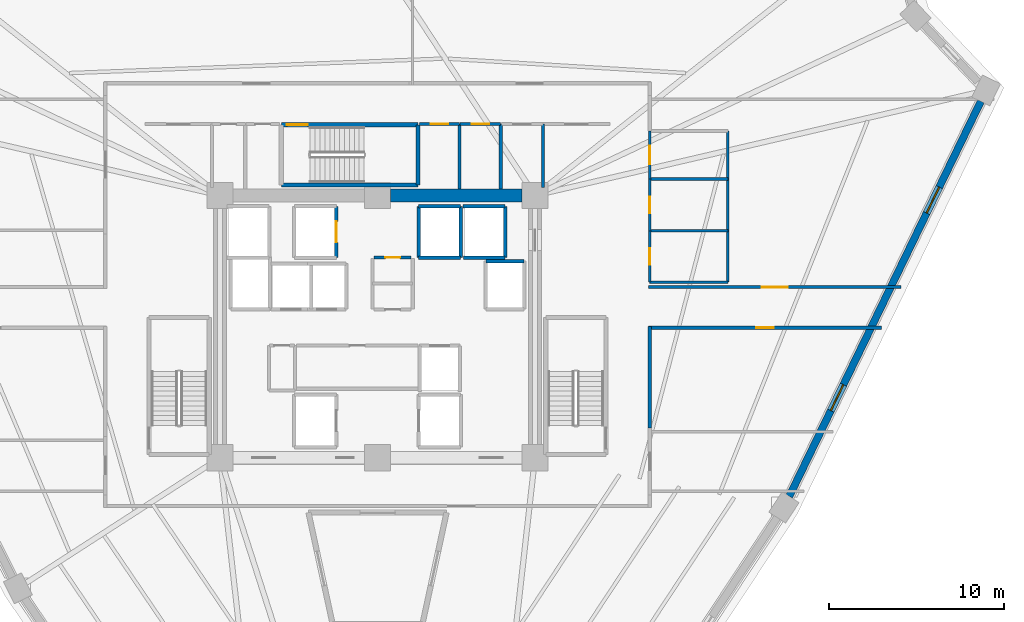
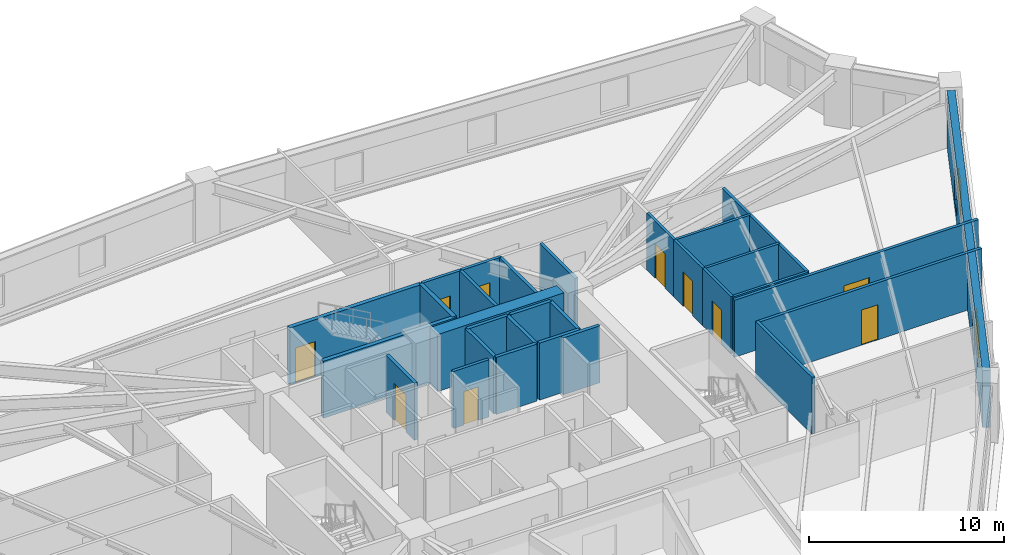
# One storey, part 6 of 10: 30 walls, 10 doors, 2 windows, 12 openings.
"""IFC4 building model written with IfcOpenShell, lengths in metres."""

import ifcopenshell
import ifcopenshell.guid

model = None  # the IFC model being written
_history = None  # IfcOwnerHistory: only IFC2X3 demands one
_inside = {}  # id of a spatial element -> (the spatial element, [elements in it])
_under = {}  # id of a project, library or spatial element -> (it, [spatial elements below it])
_declared = {}  # id of a project -> (the project, [libraries it declares])
_typed = {}  # id of a type object -> (the type object, [elements of that type])
_made_of = {}  # id of a material, layer set ... -> (it, [elements and type objects made of it])


def new_model(schema):
    """Start an empty IFC model of exactly this schema.

    Asked for "IFC4X3", IfcOpenShell would pick the latest addendum, in which some entities
    have other attributes; the version numbers below select the first issue.
    IFC2X3 requires an IfcOwnerHistory on every rooted entity: one is made here for all.
    """
    global model, _history
    if schema == "IFC4X3":
        model = ifcopenshell.file(schema_version=(4, 3, 0, 0))
    else:
        model = ifcopenshell.file(schema=schema)
    _inside.clear()
    _under.clear()
    _declared.clear()
    _typed.clear()
    _made_of.clear()
    _history = None
    if model.schema == "IFC2X3":
        org = make("IfcOrganization", Name="unknown")
        user = make(
            "IfcPersonAndOrganization",
            ThePerson=make("IfcPerson", FamilyName="unknown"),
            TheOrganization=org,
        )
        app = make(
            "IfcApplication",
            ApplicationDeveloper=org,
            Version="unknown",
            ApplicationFullName="unknown",
            ApplicationIdentifier="unknown",
        )
        _history = make(
            "IfcOwnerHistory",
            OwningUser=user,
            OwningApplication=app,
            ChangeAction="ADDED",
            CreationDate=0,
        )
    return model


def make(cls, **values):
    """One entity of the class cls with the attributes given. An attribute that is None is left unset."""
    return model.create_entity(
        cls, **{name: value for name, value in values.items() if value is not None}
    )


def rooted(cls, **values):
    """An entity with a GlobalId (a new one), such as an element, a storey or a relation."""
    return make(cls, GlobalId=ifcopenshell.guid.new(), OwnerHistory=_history, **values)


def si_unit(unit_type, name, prefix=None):
    """IfcSIUnit, for example si_unit("LENGTHUNIT", "METRE", prefix="MILLI")."""
    return make("IfcSIUnit", UnitType=unit_type, Prefix=prefix, Name=name)


def assignment(units):
    """IfcUnitAssignment: the units of a project."""
    return None if units is None else make("IfcUnitAssignment", Units=units)


def point(xyz):
    """IfcCartesianPoint."""
    return None if xyz is None else make("IfcCartesianPoint", Coordinates=xyz)


def direction(xyz):
    """IfcDirection."""
    return None if xyz is None else make("IfcDirection", DirectionRatios=xyz)


def frame(location, z_axis=None, x_axis=None):
    """IfcAxis2Placement3D, a coordinate frame: its origin and axes. An axis left out is left unset."""
    return make(
        "IfcAxis2Placement3D",
        Location=point(location),
        Axis=direction(z_axis),
        RefDirection=direction(x_axis),
    )


def frame_2d(location, x_axis=None):
    """IfcAxis2Placement2D, a coordinate frame in the plane: its origin and x axis."""
    return make(
        "IfcAxis2Placement2D", Location=point(location), RefDirection=direction(x_axis)
    )


def origin():
    """The frame at (0, 0, 0) with its axes left unset."""
    return frame((0.0, 0.0, 0.0))


def place(relative_to, where):
    """IfcLocalPlacement: puts the frame where relative to a parent placement (None: the world)."""
    return make(
        "IfcLocalPlacement", PlacementRelTo=relative_to, RelativePlacement=where
    )


def context(
    kind, dimensions, precision=None, world=None, true_north=None, identifier=None
):
    """IfcGeometricRepresentationContext, for example the 3D "Model" context."""
    return make(
        "IfcGeometricRepresentationContext",
        ContextIdentifier=identifier,
        ContextType=kind,
        CoordinateSpaceDimension=dimensions,
        Precision=precision,
        WorldCoordinateSystem=world,
        TrueNorth=true_north,
    )


def subcontext(parent, identifier, kind, view, scale=None):
    """IfcGeometricRepresentationSubContext, for example "Body" below "Model"."""
    return make(
        "IfcGeometricRepresentationSubContext",
        ContextIdentifier=identifier,
        ContextType=kind,
        ParentContext=parent,
        TargetScale=scale,
        TargetView=view,
    )


def project(units=None, contexts=None):
    """IfcProject with its units and contexts."""
    return rooted(
        "IfcProject",
        Name="project",
        RepresentationContexts=contexts,
        UnitsInContext=assignment(units),
    )


def spatial(cls, under=None, at=None, **own):
    """A site, building, storey or space (cls), placed at a placement, below another one or the project."""
    s = rooted(cls, ObjectPlacement=at, **own)
    if under is not None:
        _under.setdefault(under.id(), (under, []))[1].append(s)
    return s


def profile(cls, at=None, kind="AREA", **sizes):
    """A parametric profile (cls). Its sizes go by their IFC names, for example OverallWidth=200.0."""
    return make(cls, ProfileType=kind, Position=at, **sizes)


def rectangle(**sizes):
    """IfcRectangleProfileDef."""
    return profile("IfcRectangleProfileDef", **sizes)


def extrude(swept, where, along, depth):
    """IfcExtrudedAreaSolid: the profile swept, set in the frame where, extruded along a direction by depth."""
    return make(
        "IfcExtrudedAreaSolid",
        SweptArea=swept,
        Position=where,
        ExtrudedDirection=direction(along),
        Depth=depth,
    )


def shape(context_of_items, identifier, shape_type, items):
    """IfcShapeRepresentation: the items that make up one representation, for example the "Body"."""
    return make(
        "IfcShapeRepresentation",
        ContextOfItems=context_of_items,
        RepresentationIdentifier=identifier,
        RepresentationType=shape_type,
        Items=items,
    )


def source(mapping_origin, context_of_items, identifier, shape_type, items):
    """IfcRepresentationMap: a shape defined once, which mapped items show again and again."""
    return make(
        "IfcRepresentationMap",
        MappingOrigin=mapping_origin,
        MappedRepresentation=shape(context_of_items, identifier, shape_type, items),
    )


def transform(
    local_origin,
    x_axis=None,
    y_axis=None,
    z_axis=None,
    scale=None,
    scale2=None,
    scale3=None,
    uniform=True,
):
    """IfcCartesianTransformationOperator3D, or its non-uniform kind. x_axis, y_axis, z_axis: its Axis1, 2, 3."""
    if uniform:
        return make(
            "IfcCartesianTransformationOperator3D",
            Axis1=direction(x_axis),
            Axis2=direction(y_axis),
            LocalOrigin=point(local_origin),
            Scale=scale,
            Axis3=direction(z_axis),
        )
    return make(
        "IfcCartesianTransformationOperator3DnonUniform",
        Axis1=direction(x_axis),
        Axis2=direction(y_axis),
        LocalOrigin=point(local_origin),
        Scale=scale,
        Axis3=direction(z_axis),
        Scale2=scale2,
        Scale3=scale3,
    )


def mapped(mapping_source, mapping_target):
    """IfcMappedItem: shows the shape of a source again, moved by a transform."""
    return make(
        "IfcMappedItem", MappingSource=mapping_source, MappingTarget=mapping_target
    )


def material(Name=None, Category=None):
    """IfcMaterial."""
    return make("IfcMaterial", Name=Name, Category=Category)


def layer(
    of_material, thickness, ventilated=None, Name=None, Category=None, Priority=None
):
    """IfcMaterialLayer: one layer of a wall or slab, of a material (None: an air gap)."""
    return make(
        "IfcMaterialLayer",
        Material=of_material,
        LayerThickness=thickness,
        IsVentilated=ventilated,
        Name=Name,
        Category=Category,
        Priority=Priority,
    )


def layer_set(layers, Name=None):
    """IfcMaterialLayerSet."""
    return make("IfcMaterialLayerSet", MaterialLayers=layers, LayerSetName=Name)


def made_of(thing, what):
    """Note that an element or type object is made of a material, layer set ...; save() writes the relation."""
    if what is not None:
        _made_of.setdefault(what.id(), (what, []))[1].append(thing)
    return thing


def type_object(cls, material=None, **own):
    """A type object (cls), such as IfcWallType, which elements share."""
    return made_of(rooted(cls, **own), material)


def element(
    cls,
    number,
    at=None,
    inside=None,
    cuts=None,
    type_object=None,
    material=None,
    context=None,
    identifier="Body",
    shape_type=None,
    held_by="IfcProductDefinitionShape",
    body=None,
    shapes=None,
    **own,
):
    """One element of the class cls, such as IfcWall. Its Tag is "e" and its number.

    at: its placement. inside: the storey or other place that contains it. cuts: it is an
    opening in that element (IfcRelVoidsElement). A single representation is given by context,
    identifier, shape_type and body (its items); several are given by shapes. held_by: the class
    of the entity that holds the representations. save() writes the other relations.
    """
    e = rooted(cls, Tag="e%d" % number, ObjectPlacement=at, **own)
    if body is not None:
        shapes = [shape(context, identifier, shape_type, body)]
    if shapes is not None:
        e.Representation = make(held_by, Representations=shapes)
    if inside is not None:
        _inside.setdefault(inside.id(), (inside, []))[1].append(e)
    if cuts is not None:
        rooted(
            "IfcRelVoidsElement", RelatingBuildingElement=cuts, RelatedOpeningElement=e
        )
    if type_object is not None:
        _typed.setdefault(type_object.id(), (type_object, []))[1].append(e)
    return made_of(e, material)


def fill(opening, filler):
    """IfcRelFillsElement: the door or window that sits in an opening."""
    return rooted(
        "IfcRelFillsElement",
        RelatingOpeningElement=opening,
        RelatedBuildingElement=filler,
    )


def aggregate(whole, parts):
    """IfcRelAggregates: a whole, such as a stair, and the parts it consists of."""
    return rooted("IfcRelAggregates", RelatingObject=whole, RelatedObjects=parts)


def save(model, path):
    """Write the relations noted so far, then the file.

    IfcRelAggregates (storeys below a building ...), IfcRelContainedInSpatialStructure (elements
    in a storey), IfcRelDefinesByType, IfcRelAssociatesMaterial and IfcRelDeclares: one each for
    every whole, place, type object, material and project.
    """
    for whole, parts in _under.values():
        aggregate(whole, parts)
    for where, things in _inside.values():
        rooted(
            "IfcRelContainedInSpatialStructure",
            RelatedElements=things,
            RelatingStructure=where,
        )
    for kind, things in _typed.values():
        rooted("IfcRelDefinesByType", RelatedObjects=things, RelatingType=kind)
    for what, things in _made_of.values():
        rooted("IfcRelAssociatesMaterial", RelatedObjects=things, RelatingMaterial=what)
    for by, libraries in _declared.values():
        rooted("IfcRelDeclares", RelatingContext=by, RelatedDefinitions=libraries)
    model.write(path)


model = new_model("IFC4")

# Units and contexts
model_context = context("Model", 3, precision=1e-05, world=origin(), true_north=direction((0.0, 1.0)))
body_context = subcontext(model_context, "Body", "Model", "MODEL_VIEW")
ifc_project = project(units=[si_unit("LENGTHUNIT", "METRE"), si_unit("AREAUNIT", "SQUARE_METRE"), si_unit("VOLUMEUNIT", "CUBIC_METRE"), si_unit("PLANEANGLEUNIT", "RADIAN"), si_unit("MASSUNIT", "GRAM", prefix="KILO")], contexts=[model_context])

# Site, building, storey
site_placement = place(None, origin())
site = spatial("IfcSite", under=ifc_project, at=site_placement, CompositionType="ELEMENT")
building_placement = place(site_placement, origin())
building = spatial("IfcBuilding", under=site, at=building_placement, Name="Liaohun Quay Tower", CompositionType="ELEMENT")
storey_placement = place(building_placement, frame((0.0, 0.0, 166.5)))
storey = spatial("IfcBuildingStorey", under=building, at=storey_placement, Name="L43", CompositionType="ELEMENT", Elevation=166.5)

# Wall
ifc_material_1 = material(Name="Concrete C60", Category="concrete")
ifc_layer_1 = layer(ifc_material_1, 0.75, Name="Concrete C60", Category="concrete")
ifc_layer_set_1 = layer_set([ifc_layer_1], Name="Concrete C60")
wall_type_1 = type_object("IfcWallType", Name="WAL-COR-Z2", PredefinedType="SHEAR", material=ifc_layer_set_1)
wall_1_placement = place(storey_placement, frame((60.75, 61.5, 0.0), z_axis=(0.0, 0.0, 1.0), x_axis=(1.0, 0.0, 0.0)))
element("IfcWall", 1, at=wall_1_placement, inside=storey, type_object=wall_type_1, Name="L43 Central Core Shear Wall N-E", PredefinedType="SHEAR", context=body_context, shape_type="SweptSolid", body=[
    extrude(rectangle(XDim=7.5, YDim=0.75, at=frame_2d((3.75, 0.0))), origin(), (0.0, 0.0, 1.0), 3.570068359375),
])

# Wall, openings, windows
ifc_material_2 = material(Name="Precast concrete C50 insulated sandwich", Category="concrete")
ifc_layer_2 = layer(ifc_material_2, 0.419921875, Name="Precast concrete C50 insulated sandwich", Category="concrete")
ifc_layer_set_2 = layer_set([ifc_layer_2], Name="Precast concrete C50 insulated sandwich")
wall_type_2 = type_object("IfcWallType", Name="WAL-EXT-Z12", PredefinedType="SOLIDWALL", material=ifc_layer_set_2)
wall_2_placement = place(storey_placement, frame((83.532958984375, 44.29296875, 0.0), z_axis=(0.0, 0.0, 1.0), x_axis=(0.43630023006, 0.899801149838, 0.0)))
wall_2 = element("IfcWall", 2, at=wall_2_placement, inside=storey, type_object=wall_type_2, Name="L43 Brutalist Precast Pier Wall 03", PredefinedType="SOLIDWALL", context=body_context, shape_type="SweptSolid", body=[
    extrude(rectangle(XDim=25.1044921875, YDim=0.419921875, at=frame_2d((12.55224609375, 0.0))), origin(), (0.0, 0.0, 1.0), 3.570068359375),
])
shared_shape_1 = source(origin(), body_context, "Body", "SweptSolid", [
    extrude(rectangle(XDim=1.64990234375, YDim=1.949951171875, at=frame_2d((0.824951171875, 0.97509765625))), frame((0.0, 0.219970703125, 0.0), z_axis=(0.0, -1.0, 0.0), x_axis=(1.0, 0.0, 0.0)), (0.0, 0.0, 1.0), 0.43994140625),
])
opening_1_placement = place(wall_2_placement, frame((5.450927734375, 0.0, 0.550048828125)))
opening_1 = element("IfcOpeningElement", 3, at=opening_1_placement, cuts=wall_2, Name="Opening W02", PredefinedType="OPENING", context=body_context, shape_type="MappedRepresentation", body=[
    mapped(shared_shape_1, transform((0.0, 0.0, 0.0), x_axis=(1.0, 0.0, 0.0), y_axis=(0.0, 1.0, 0.0), z_axis=(0.0, 0.0, 1.0), scale=1.0)),
])
opening_2_placement = place(wall_2_placement, frame((18.0029296875, 0.0, 0.550048828125)))
opening_2 = element("IfcOpeningElement", 4, at=opening_2_placement, cuts=wall_2, Name="Opening W02", PredefinedType="OPENING", context=body_context, shape_type="MappedRepresentation", body=[
    mapped(shared_shape_1, transform((0.0, 0.0, 0.0), x_axis=(1.0, 0.0, 0.0), y_axis=(0.0, 1.0, 0.0), z_axis=(0.0, 0.0, 1.0), scale=1.0)),
])
ifc_material_3 = material(Name="Triple Low-E argon glazing in thermally broken aluminium", Category="aluminium")
window_type = type_object("IfcWindowType", Name="WIN-PUN-Z2", PartitioningType="DOUBLE_PANEL_VERTICAL", PredefinedType="WINDOW", material=ifc_material_3)
shared_shape_2 = source(origin(), body_context, "Body", "SweptSolid", [
    extrude(rectangle(XDim=1.64990234375, YDim=1.949951171875, at=frame_2d((0.824951171875, 0.97509765625))), frame((0.0, 0.030029296875, 0.0), z_axis=(0.0, -1.0, 0.0), x_axis=(1.0, 0.0, 0.0)), (0.0, 0.0, 1.0), 0.06005859375),
])
window_1_placement = place(opening_1_placement, origin())
window_1 = element("IfcWindow", 5, at=window_1_placement, inside=storey, type_object=window_type, Name="L43 Recessed Cold-Climate Punched Window 03-1", OverallHeight=1.949951171875, OverallWidth=1.64990234375, PartitioningType="DOUBLE_PANEL_VERTICAL", PredefinedType="WINDOW", context=body_context, shape_type="MappedRepresentation", body=[
    mapped(shared_shape_2, transform((0.0, 0.0, 0.0), x_axis=(1.0, 0.0, 0.0), y_axis=(0.0, 1.0, 0.0), z_axis=(0.0, 0.0, 1.0), scale=1.0)),
])
fill(opening_1, window_1)
window_2_placement = place(opening_2_placement, origin())
window_2 = element("IfcWindow", 6, at=window_2_placement, inside=storey, type_object=window_type, Name="L43 Recessed Cold-Climate Punched Window 03-3", OverallHeight=1.949951171875, OverallWidth=1.64990234375, PartitioningType="DOUBLE_PANEL_VERTICAL", PredefinedType="WINDOW", context=body_context, shape_type="MappedRepresentation", body=[
    mapped(shared_shape_2, transform((0.0, 0.0, 0.0), x_axis=(1.0, 0.0, 0.0), y_axis=(0.0, 1.0, 0.0), z_axis=(0.0, 0.0, 1.0), scale=1.0)),
])
fill(opening_2, window_2)

# Wall, opening, door
ifc_material_4 = material(Name="Autoclaved aerated concrete blockwork", Category="masonry")
ifc_layer_3 = layer(ifc_material_4, 0.179931640625, Name="Autoclaved aerated concrete blockwork", Category="masonry")
ifc_layer_set_3 = layer_set([ifc_layer_3], Name="Autoclaved aerated concrete blockwork")
wall_type_3 = type_object("IfcWallType", Name="WAL-PRT-COR", PredefinedType="PARTITIONING", material=ifc_layer_set_3)
wall_3_placement = place(storey_placement, frame((59.81005859375, 57.949951171875, 0.0), z_axis=(0.0, 0.0, 1.0), x_axis=(1.0, 0.0, 0.0)))
wall_3 = element("IfcWall", 7, at=wall_3_placement, inside=storey, type_object=wall_type_3, Name="L43 Interior Partition Wall 003", PredefinedType="PARTITIONING", context=body_context, shape_type="SweptSolid", body=[
    extrude(rectangle(XDim=2.10986328125, YDim=0.179931640625, at=frame_2d((1.054931640625, 0.0))), origin(), (0.0, 0.0, 1.0), 3.570068359375),
])
shared_shape_3 = source(origin(), body_context, "Body", "SweptSolid", [
    extrude(rectangle(XDim=0.85009765625, YDim=2.10009765625, at=frame_2d((0.425048828125, 1.050048828125))), frame((0.0, 0.099853515625, 0.0), z_axis=(0.0, -1.0, 0.0), x_axis=(1.0, 0.0, 0.0)), (0.0, 0.0, 1.0), 0.199951171875),
])
opening_3_placement = place(wall_3_placement, frame((0.635009765625, 0.0, 0.0)))
opening_3 = element("IfcOpeningElement", 8, at=opening_3_placement, cuts=wall_3, Name="Opening AD1", PredefinedType="OPENING", context=body_context, shape_type="MappedRepresentation", body=[
    mapped(shared_shape_3, transform((0.0, 0.0, 0.0), x_axis=(1.0, 0.0, 0.0), y_axis=(0.0, 1.0, 0.0), z_axis=(0.0, 0.0, 1.0), scale=1.0)),
])
ifc_material_5 = material(Name="Steel riser inspection fire door", Category="steel")
door_type_1 = type_object("IfcDoorType", Name="DOR-SHF-850", OperationType="NOTDEFINED", PredefinedType="DOOR", material=ifc_material_5)
shared_shape_4 = source(origin(), body_context, "Body", "SweptSolid", [
    extrude(rectangle(XDim=0.85009765625, YDim=2.10009765625, at=frame_2d((0.425048828125, 1.050048828125))), frame((0.0, 0.02490234375, 0.0), z_axis=(0.0, -1.0, 0.0), x_axis=(1.0, 0.0, 0.0)), (0.0, 0.0, 1.0), 0.050048828125),
])
door_1_placement = place(opening_3_placement, origin())
door_1 = element("IfcDoor", 9, at=door_1_placement, inside=storey, type_object=door_type_1, Name="L43 Telecom Comms Closet Door", OperationType="SINGLE_SWING_RIGHT", OverallHeight=2.10009765625, OverallWidth=0.85009765625, PredefinedType="DOOR", context=body_context, shape_type="MappedRepresentation", body=[
    mapped(shared_shape_4, transform((0.0, 0.0, 0.0), x_axis=(1.0, 0.0, 0.0), y_axis=(0.0, 1.0, 0.0), z_axis=(0.0, 0.0, 1.0), scale=1.0)),
])
fill(opening_3, door_1)

wall_4_placement = place(storey_placement, frame((62.389892578125, 65.580078125, 0.0), z_axis=(0.0, 0.0, 1.0), x_axis=(1.0, 0.0, 0.0)))
wall_4 = element("IfcWall", 10, at=wall_4_placement, inside=storey, type_object=wall_type_3, Name="L43 Interior Partition Wall 010", PredefinedType="PARTITIONING", context=body_context, shape_type="SweptSolid", body=[
    extrude(rectangle(XDim=2.2900390625, YDim=0.179931640625, at=frame_2d((1.14501953125, 0.0))), origin(), (0.0, 0.0, 1.0), 3.570068359375),
])
shared_shape_5 = source(origin(), body_context, "Body", "SweptSolid", [
    extrude(rectangle(XDim=1.0, YDim=2.199951171875, at=frame_2d((0.5, 1.10009765625))), frame((0.0, 0.099853515625, 0.0), z_axis=(0.0, -1.0, 0.0), x_axis=(1.0, 0.0, 0.0)), (0.0, 0.0, 1.0), 0.199951171875),
])
opening_4_placement = place(wall_4_placement, frame((0.64501953125, 0.0, 0.0)))
opening_4 = element("IfcOpeningElement", 11, at=opening_4_placement, cuts=wall_4, Name="Opening OD1", PredefinedType="OPENING", context=body_context, shape_type="MappedRepresentation", body=[
    mapped(shared_shape_5, transform((0.0, 0.0, 0.0), x_axis=(1.0, 0.0, 0.0), y_axis=(0.0, 1.0, 0.0), z_axis=(0.0, 0.0, 1.0), scale=1.0)),
])
ifc_material_6 = material(Name="Solid-core oak veneer timber leaf in steel frame", Category="steel")
door_type_2 = type_object("IfcDoorType", Name="DOR-OFF-1000", OperationType="NOTDEFINED", PredefinedType="DOOR", material=ifc_material_6)
shared_shape_6 = source(origin(), body_context, "Body", "SweptSolid", [
    extrude(rectangle(XDim=1.0, YDim=2.199951171875, at=frame_2d((0.5, 1.10009765625))), frame((0.0, 0.02490234375, 0.0), z_axis=(0.0, -1.0, 0.0), x_axis=(1.0, 0.0, 0.0)), (0.0, 0.0, 1.0), 0.050048828125),
])
door_2_placement = place(opening_4_placement, origin())
door_2 = element("IfcDoor", 12, at=door_2_placement, inside=storey, type_object=door_type_2, Name="L43 North-East Mail Store Door", OperationType="SINGLE_SWING_LEFT", OverallHeight=2.199951171875, OverallWidth=1.0, PredefinedType="DOOR", context=body_context, shape_type="MappedRepresentation", body=[
    mapped(shared_shape_6, transform((0.0, 0.0, 0.0), x_axis=(1.0, 0.0, 0.0), y_axis=(0.0, 1.0, 0.0), z_axis=(0.0, 0.0, 1.0), scale=1.0)),
])
fill(opening_4, door_2)

wall_5_placement = place(storey_placement, frame((64.719970703125, 65.580078125, 0.0), z_axis=(0.0, 0.0, 1.0), x_axis=(1.0, 0.0, 0.0)))
wall_5 = element("IfcWall", 13, at=wall_5_placement, inside=storey, type_object=wall_type_3, Name="L43 Interior Partition Wall 011", PredefinedType="PARTITIONING", context=body_context, shape_type="SweptSolid", body=[
    extrude(rectangle(XDim=2.320068359375, YDim=0.179931640625, at=frame_2d((1.16015625, 0.0))), origin(), (0.0, 0.0, 1.0), 3.570068359375),
])
opening_5_placement = place(wall_5_placement, frame((0.659912109375, 0.0, 0.0)))
opening_5 = element("IfcOpeningElement", 14, at=opening_5_placement, cuts=wall_5, Name="Opening OD1", PredefinedType="OPENING", context=body_context, shape_type="MappedRepresentation", body=[
    mapped(shared_shape_5, transform((0.0, 0.0, 0.0), x_axis=(1.0, 0.0, 0.0), y_axis=(0.0, 1.0, 0.0), z_axis=(0.0, 0.0, 1.0), scale=1.0)),
])
door_3_placement = place(opening_5_placement, origin())
door_3 = element("IfcDoor", 15, at=door_3_placement, inside=storey, type_object=door_type_2, Name="L43 North-East Comms Room Door", OperationType="SINGLE_SWING_RIGHT", OverallHeight=2.199951171875, OverallWidth=1.0, PredefinedType="DOOR", context=body_context, shape_type="MappedRepresentation", body=[
    mapped(shared_shape_6, transform((0.0, 0.0, 0.0), x_axis=(1.0, 0.0, 0.0), y_axis=(0.0, 1.0, 0.0), z_axis=(0.0, 0.0, 1.0), scale=1.0)),
])
fill(opening_5, door_3)

wall_6_placement = place(storey_placement, frame((75.489990234375, 56.260009765625, 0.0), z_axis=(0.0, 0.0, 1.0), x_axis=(1.0, 0.0, 0.0)))
wall_6 = element("IfcWall", 16, at=wall_6_placement, inside=storey, type_object=wall_type_3, Name="L43 Interior Partition Wall 015", PredefinedType="PARTITIONING", context=body_context, shape_type="SweptSolid", body=[
    extrude(rectangle(XDim=14.43798828125, YDim=0.179931640625, at=frame_2d((7.218994140625, 0.0))), origin(), (0.0, 0.0, 1.0), 3.570068359375),
])
shared_shape_7 = source(origin(), body_context, "Body", "SweptSolid", [
    extrude(rectangle(XDim=1.5, YDim=2.199951171875, at=frame_2d((0.75, 1.10009765625))), frame((0.0, 0.099853515625, 0.0), z_axis=(0.0, -1.0, 0.0), x_axis=(1.0, 0.0, 0.0)), (0.0, 0.0, 1.0), 0.199951171875),
])
opening_6_placement = place(wall_6_placement, frame((6.468994140625, 0.0, 0.0)))
opening_6 = element("IfcOpeningElement", 17, at=opening_6_placement, cuts=wall_6, Name="Opening OD2", PredefinedType="OPENING", context=body_context, shape_type="MappedRepresentation", body=[
    mapped(shared_shape_7, transform((0.0, 0.0, 0.0), x_axis=(1.0, 0.0, 0.0), y_axis=(0.0, 1.0, 0.0), z_axis=(0.0, 0.0, 1.0), scale=1.0)),
])
ifc_material_7 = material(Name="Acoustic oak veneer double door")
door_type_3 = type_object("IfcDoorType", Name="DOR-OFF-1500", OperationType="DOUBLE_DOOR_SINGLE_SWING", PredefinedType="DOOR", material=ifc_material_7)
shared_shape_8 = source(origin(), body_context, "Body", "SweptSolid", [
    extrude(rectangle(XDim=1.5, YDim=2.199951171875, at=frame_2d((0.75, 1.10009765625))), frame((0.0, 0.02490234375, 0.0), z_axis=(0.0, -1.0, 0.0), x_axis=(1.0, 0.0, 0.0)), (0.0, 0.0, 1.0), 0.050048828125),
])
door_4_placement = place(opening_6_placement, origin())
door_4 = element("IfcDoor", 18, at=door_4_placement, inside=storey, type_object=door_type_3, Name="L43 Technical Reference Library 01 Door", OperationType="DOUBLE_DOOR_SINGLE_SWING", OverallHeight=2.199951171875, OverallWidth=1.5, PredefinedType="DOOR", context=body_context, shape_type="MappedRepresentation", body=[
    mapped(shared_shape_8, transform((0.0, 0.0, 0.0), x_axis=(1.0, 0.0, 0.0), y_axis=(0.0, 1.0, 0.0), z_axis=(0.0, 0.0, 1.0), scale=1.0)),
])
fill(opening_6, door_4)

wall_7_placement = place(storey_placement, frame((88.802978515625, 53.93994140625, 0.0), z_axis=(0.0, 0.0, 1.0), x_axis=(-1.0, 0.0, 0.0)))
wall_7 = element("IfcWall", 19, at=wall_7_placement, inside=storey, type_object=wall_type_3, Name="L43 Interior Partition Wall 024", PredefinedType="PARTITIONING", context=body_context, shape_type="SweptSolid", body=[
    extrude(rectangle(XDim=13.31298828125, YDim=0.179931640625, at=frame_2d((6.656494140625, 0.0))), origin(), (0.0, 0.0, 1.0), 3.570068359375),
])
opening_7_placement = place(wall_7_placement, frame((6.156982421875, 0.0, 0.0)))
opening_7 = element("IfcOpeningElement", 20, at=opening_7_placement, cuts=wall_7, Name="Opening OD1", PredefinedType="OPENING", context=body_context, shape_type="MappedRepresentation", body=[
    mapped(shared_shape_5, transform((0.0, 0.0, 0.0), x_axis=(1.0, 0.0, 0.0), y_axis=(0.0, 1.0, 0.0), z_axis=(0.0, 0.0, 1.0), scale=1.0)),
])
door_5_placement = place(opening_7_placement, origin())
door_5 = element("IfcDoor", 21, at=door_5_placement, inside=storey, type_object=door_type_2, Name="L43 Open-Plan Office Workplace 10 Door", OperationType="SINGLE_SWING_LEFT", OverallHeight=2.199951171875, OverallWidth=1.0, PredefinedType="DOOR", context=body_context, shape_type="MappedRepresentation", body=[
    mapped(shared_shape_6, transform((0.0, 0.0, 0.0), x_axis=(1.0, 0.0, 0.0), y_axis=(0.0, 1.0, 0.0), z_axis=(0.0, 0.0, 1.0), scale=1.0)),
])
fill(opening_7, door_5)

# Walls
for number, where, z_axis, x_axis, name in (
    (22, (64.679931640625, 61.875, 0.0), (0.0, 0.0, 1.0), (0.0, 1.0, 0.0), "L43 Interior Partition Wall 038"),
    (23, (67.0400390625, 61.875, 0.0), (0.0, 0.0, 1.0), (0.0, 1.0, 0.0), "L43 Interior Partition Wall 039"),
):
    element("IfcWall", number, at=place(storey_placement, frame(where, z_axis=z_axis, x_axis=x_axis)), inside=storey, type_object=wall_type_3, Name=name, PredefinedType="PARTITIONING", context=body_context, shape_type="SweptSolid", body=[
        extrude(rectangle(XDim=3.705078125, YDim=0.179931640625, at=frame_2d((1.8525390625, 0.0))), origin(), (0.0, 0.0, 1.0), 3.570068359375),
    ])
wall_8_placement = place(storey_placement, frame((69.4599609375, 61.949951171875, 0.0), z_axis=(0.0, 0.0, 1.0), x_axis=(0.0, 1.0, 0.0)))
element("IfcWall", 24, at=wall_8_placement, inside=storey, type_object=wall_type_3, Name="L43 Interior Partition Wall 040", PredefinedType="PARTITIONING", context=body_context, shape_type="SweptSolid", body=[
    extrude(rectangle(XDim=3.630126953125, YDim=0.179931640625, at=frame_2d((1.81494140625, 0.0))), origin(), (0.0, 0.0, 1.0), 3.570068359375),
])
wall_9_placement = place(storey_placement, frame((75.56005859375, 54.010009765625, 0.0), z_axis=(0.0, 0.0, 1.0), x_axis=(0.0, -1.0, 0.0)))
element("IfcWall", 25, at=wall_9_placement, inside=storey, type_object=wall_type_3, Name="L43 Interior Partition Wall 048", PredefinedType="PARTITIONING", context=body_context, shape_type="SweptSolid", body=[
    extrude(rectangle(XDim=5.794921875, YDim=0.179931640625, at=frame_2d((2.8974609375, 0.0))), origin(), (0.0, 0.0, 1.0), 3.570068359375),
])

# Wall, opening, door
ifc_material_8 = material(Name="Moisture-resistant masonry blockwork", Category="masonry")
ifc_layer_4 = layer(ifc_material_8, 0.159912109375, Name="Moisture-resistant masonry blockwork", Category="masonry")
ifc_layer_set_4 = layer_set([ifc_layer_4], Name="Moisture-resistant masonry blockwork")
wall_type_4 = type_object("IfcWallType", Name="WAL-PRT-WET", PredefinedType="PARTITIONING", material=ifc_layer_set_4)
wall_10_placement = place(storey_placement, frame((75.56005859375, 56.5400390625, 0.0), z_axis=(0.0, 0.0, 1.0), x_axis=(0.0, 1.0, 0.0)))
wall_10 = element("IfcWall", 26, at=wall_10_placement, inside=storey, type_object=wall_type_4, Name="L43 Interior Partition Wall 005", PredefinedType="PARTITIONING", context=body_context, shape_type="SweptSolid", body=[
    extrude(rectangle(XDim=2.93994140625, YDim=0.159912109375, at=frame_2d((1.469970703125, 0.0))), origin(), (0.0, 0.0, 1.0), 3.570068359375),
])
shared_shape_9 = source(origin(), body_context, "Body", "SweptSolid", [
    extrude(rectangle(XDim=0.949951171875, YDim=2.14990234375, at=frame_2d((0.47509765625, 1.074951171875))), frame((0.0, 0.08984375, 0.0), z_axis=(0.0, -1.0, 0.0), x_axis=(1.0, 0.0, 0.0)), (0.0, 0.0, 1.0), 0.179931640625),
])
opening_8_placement = place(wall_10_placement, frame((0.9951171875, 0.0, 0.0)))
opening_8 = element("IfcOpeningElement", 27, at=opening_8_placement, cuts=wall_10, Name="Opening WD1", PredefinedType="OPENING", context=body_context, shape_type="MappedRepresentation", body=[
    mapped(shared_shape_9, transform((0.0, 0.0, 0.0), x_axis=(1.0, 0.0, 0.0), y_axis=(0.0, 1.0, 0.0), z_axis=(0.0, 0.0, 1.0), scale=1.0)),
])
ifc_material_9 = material(Name="Moisture-resistant laminate timber leaf", Category="wood")
door_type_4 = type_object("IfcDoorType", Name="DOR-WC-950", OperationType="NOTDEFINED", PredefinedType="DOOR", material=ifc_material_9)
shared_shape_10 = source(origin(), body_context, "Body", "SweptSolid", [
    extrude(rectangle(XDim=0.949951171875, YDim=2.14990234375, at=frame_2d((0.47509765625, 1.074951171875))), frame((0.0, 0.02490234375, 0.0), z_axis=(0.0, -1.0, 0.0), x_axis=(1.0, 0.0, 0.0)), (0.0, 0.0, 1.0), 0.050048828125),
])
door_6_placement = place(opening_8_placement, origin())
door_6 = element("IfcDoor", 28, at=door_6_placement, inside=storey, type_object=door_type_4, Name="L43 Male Restroom WC Door", OperationType="SINGLE_SWING_RIGHT", OverallHeight=2.14990234375, OverallWidth=0.949951171875, PredefinedType="DOOR", context=body_context, shape_type="MappedRepresentation", body=[
    mapped(shared_shape_10, transform((0.0, 0.0, 0.0), x_axis=(1.0, 0.0, 0.0), y_axis=(0.0, 1.0, 0.0), z_axis=(0.0, 0.0, 1.0), scale=1.0)),
])
fill(opening_8, door_6)

wall_11_placement = place(storey_placement, frame((75.56005859375, 59.47998046875, 0.0), z_axis=(0.0, 0.0, 1.0), x_axis=(0.0, 1.0, 0.0)))
wall_11 = element("IfcWall", 29, at=wall_11_placement, inside=storey, type_object=wall_type_4, Name="L43 Interior Partition Wall 006", PredefinedType="PARTITIONING", context=body_context, shape_type="SweptSolid", body=[
    extrude(rectangle(XDim=2.9599609375, YDim=0.159912109375, at=frame_2d((1.47998046875, 0.0))), origin(), (0.0, 0.0, 1.0), 3.570068359375),
])
opening_9_placement = place(wall_11_placement, frame((1.0048828125, 0.0, 0.0)))
opening_9 = element("IfcOpeningElement", 30, at=opening_9_placement, cuts=wall_11, Name="Opening WD1", PredefinedType="OPENING", context=body_context, shape_type="MappedRepresentation", body=[
    mapped(shared_shape_9, transform((0.0, 0.0, 0.0), x_axis=(1.0, 0.0, 0.0), y_axis=(0.0, 1.0, 0.0), z_axis=(0.0, 0.0, 1.0), scale=1.0)),
])
door_7_placement = place(opening_9_placement, origin())
door_7 = element("IfcDoor", 31, at=door_7_placement, inside=storey, type_object=door_type_4, Name="L43 Female Restroom WC Door", OperationType="SINGLE_SWING_LEFT", OverallHeight=2.14990234375, OverallWidth=0.949951171875, PredefinedType="DOOR", context=body_context, shape_type="MappedRepresentation", body=[
    mapped(shared_shape_10, transform((0.0, 0.0, 0.0), x_axis=(1.0, 0.0, 0.0), y_axis=(0.0, 1.0, 0.0), z_axis=(0.0, 0.0, 1.0), scale=1.0)),
])
fill(opening_9, door_7)

wall_12_placement = place(storey_placement, frame((75.56005859375, 62.43994140625, 0.0), z_axis=(0.0, 0.0, 1.0), x_axis=(0.0, 1.0, 0.0)))
wall_12 = element("IfcWall", 32, at=wall_12_placement, inside=storey, type_object=wall_type_4, Name="L43 Interior Partition Wall 007", PredefinedType="PARTITIONING", context=body_context, shape_type="SweptSolid", body=[
    extrude(rectangle(XDim=2.739990234375, YDim=0.159912109375, at=frame_2d((1.3701171875, 0.0))), origin(), (0.0, 0.0, 1.0), 3.570068359375),
])
shared_shape_11 = source(origin(), body_context, "Body", "SweptSolid", [
    extrude(rectangle(XDim=1.050048828125, YDim=2.14990234375, at=frame_2d((0.52490234375, 1.074951171875))), frame((0.0, 0.08984375, 0.0), z_axis=(0.0, -1.0, 0.0), x_axis=(1.0, 0.0, 0.0)), (0.0, 0.0, 1.0), 0.179931640625),
])
opening_10_placement = place(wall_12_placement, frame((0.844970703125, 0.0, 0.0)))
opening_10 = element("IfcOpeningElement", 33, at=opening_10_placement, cuts=wall_12, Name="Opening WD2", PredefinedType="OPENING", context=body_context, shape_type="MappedRepresentation", body=[
    mapped(shared_shape_11, transform((0.0, 0.0, 0.0), x_axis=(1.0, 0.0, 0.0), y_axis=(0.0, 1.0, 0.0), z_axis=(0.0, 0.0, 1.0), scale=1.0)),
])
ifc_material_10 = material(Name="Accessible outward-swinging laminate door")
door_type_5 = type_object("IfcDoorType", Name="DOR-AWC-1050", OperationType="NOTDEFINED", PredefinedType="DOOR", material=ifc_material_10)
shared_shape_12 = source(origin(), body_context, "Body", "SweptSolid", [
    extrude(rectangle(XDim=1.050048828125, YDim=2.14990234375, at=frame_2d((0.52490234375, 1.074951171875))), frame((0.0, 0.02490234375, 0.0), z_axis=(0.0, -1.0, 0.0), x_axis=(1.0, 0.0, 0.0)), (0.0, 0.0, 1.0), 0.050048828125),
])
door_8_placement = place(opening_10_placement, origin())
door_8 = element("IfcDoor", 34, at=door_8_placement, inside=storey, type_object=door_type_5, Name="L43 Accessible WC Door", OperationType="SINGLE_SWING_RIGHT", OverallHeight=2.14990234375, OverallWidth=1.050048828125, PredefinedType="DOOR", context=body_context, shape_type="MappedRepresentation", body=[
    mapped(shared_shape_12, transform((0.0, 0.0, 0.0), x_axis=(1.0, 0.0, 0.0), y_axis=(0.0, 1.0, 0.0), z_axis=(0.0, 0.0, 1.0), scale=1.0)),
])
fill(opening_10, door_8)

# Walls
wall_13_placement = place(storey_placement, frame((80.02001953125, 56.5400390625, 0.0), z_axis=(0.0, 0.0, 1.0), x_axis=(0.0, 1.0, 0.0)))
element("IfcWall", 35, at=wall_13_placement, inside=storey, type_object=wall_type_4, Name="L43 Interior Partition Wall 031", PredefinedType="PARTITIONING", context=body_context, shape_type="SweptSolid", body=[
    extrude(rectangle(XDim=8.639892578125, YDim=0.159912109375, at=frame_2d((4.31982421875, 0.0))), origin(), (0.0, 0.0, 1.0), 3.570068359375),
])
for number, where, z_axis, x_axis, name in (
    (36, (75.56005859375, 56.5400390625, 0.0), (0.0, 0.0, 1.0), (1.0, 0.0, 0.0), "L43 Interior Partition Wall 032"),
    (37, (75.56005859375, 59.47998046875, 0.0), (0.0, 0.0, 1.0), (1.0, 0.0, 0.0), "L43 Interior Partition Wall 033"),
    (38, (75.56005859375, 62.43994140625, 0.0), (0.0, 0.0, 1.0), (1.0, 0.0, 0.0), "L43 Interior Partition Wall 034"),
):
    element("IfcWall", number, at=place(storey_placement, frame(where, z_axis=z_axis, x_axis=x_axis)), inside=storey, type_object=wall_type_4, Name=name, PredefinedType="PARTITIONING", context=body_context, shape_type="SweptSolid", body=[
        extrude(rectangle(XDim=4.4599609375, YDim=0.159912109375, at=frame_2d((2.22998046875, 0.0))), origin(), (0.0, 0.0, 1.0), 3.570068359375),
    ])
ifc_material_11 = material(Name="Concrete C50", Category="concrete")
ifc_layer_5 = layer(ifc_material_11, 0.239990234375, Name="Concrete C50", Category="concrete")
ifc_layer_set_5 = layer_set([ifc_layer_5], Name="Concrete C50")
wall_type_5 = type_object("IfcWallType", Name="WAL-SHF-200", PredefinedType="SOLIDWALL", material=ifc_layer_set_5)
wall_14_placement = place(storey_placement, frame((54.5, 62.10009765625, 0.0), z_axis=(0.0, 0.0, 1.0), x_axis=(1.0, 0.0, 0.0)))
element("IfcWall", 39, at=wall_14_placement, inside=storey, type_object=wall_type_5, Name="L43 Stairwell ST-3 Structural Core Wall S", PredefinedType="SOLIDWALL", context=body_context, shape_type="SweptSolid", body=[
    extrude(rectangle(XDim=7.820068359375, YDim=0.239990234375, at=frame_2d((3.91015625, 0.0))), origin(), (0.0, 0.0, 1.0), 3.570068359375),
])
wall_15_placement = place(storey_placement, frame((62.320068359375, 62.10009765625, 0.0), z_axis=(0.0, 0.0, 1.0), x_axis=(0.0, 1.0, 0.0)))
element("IfcWall", 40, at=wall_15_placement, inside=storey, type_object=wall_type_5, Name="L43 Stairwell ST-3 Structural Core Wall E", PredefinedType="SOLIDWALL", context=body_context, shape_type="SweptSolid", body=[
    extrude(rectangle(XDim=3.43994140625, YDim=0.239990234375, at=frame_2d((1.719970703125, 0.0))), origin(), (0.0, 0.0, 1.0), 3.570068359375),
])

# Wall, opening, door
wall_16_placement = place(storey_placement, frame((62.320068359375, 65.5400390625, 0.0), z_axis=(0.0, 0.0, 1.0), x_axis=(-1.0, 0.0, 0.0)))
wall_16 = element("IfcWall", 41, at=wall_16_placement, inside=storey, type_object=wall_type_5, Name="L43 Stairwell ST-3 Structural Core Wall N", PredefinedType="SOLIDWALL", context=body_context, shape_type="SweptSolid", body=[
    extrude(rectangle(XDim=7.820068359375, YDim=0.239990234375, at=frame_2d((3.91015625, 0.0))), origin(), (0.0, 0.0, 1.0), 3.570068359375),
])
shared_shape_13 = source(origin(), body_context, "Body", "SweptSolid", [
    extrude(rectangle(XDim=1.199951171875, YDim=2.199951171875, at=frame_2d((0.60009765625, 1.10009765625))), frame((0.0, 0.1298828125, 0.0), z_axis=(0.0, -1.0, 0.0), x_axis=(1.0, 0.0, 0.0)), (0.0, 0.0, 1.0), 0.260009765625),
])
opening_11_placement = place(wall_16_placement, frame((6.300048828125, 0.0, 0.0)))
opening_11 = element("IfcOpeningElement", 42, at=opening_11_placement, cuts=wall_16, Name="Opening SD1", PredefinedType="OPENING", context=body_context, shape_type="MappedRepresentation", body=[
    mapped(shared_shape_13, transform((0.0, 0.0, 0.0), x_axis=(1.0, 0.0, 0.0), y_axis=(0.0, 1.0, 0.0), z_axis=(0.0, 0.0, 1.0), scale=1.0)),
])
ifc_material_12 = material(Name="Galvanised steel fire door", Category="steel")
door_type_6 = type_object("IfcDoorType", Name="DOR-STR-1200", OperationType="NOTDEFINED", PredefinedType="DOOR", material=ifc_material_12)
shared_shape_14 = source(origin(), body_context, "Body", "SweptSolid", [
    extrude(rectangle(XDim=1.199951171875, YDim=2.199951171875, at=frame_2d((0.60009765625, 1.10009765625))), frame((0.0, 0.02490234375, 0.0), z_axis=(0.0, -1.0, 0.0), x_axis=(1.0, 0.0, 0.0)), (0.0, 0.0, 1.0), 0.050048828125),
])
door_9_placement = place(opening_11_placement, origin())
door_9 = element("IfcDoor", 43, at=door_9_placement, inside=storey, type_object=door_type_6, Name="L43 Protected Stair ST-3 Fire Door", OperationType="SINGLE_SWING_RIGHT", OverallHeight=2.199951171875, OverallWidth=1.199951171875, PredefinedType="DOOR", context=body_context, shape_type="MappedRepresentation", body=[
    mapped(shared_shape_14, transform((0.0, 0.0, 0.0), x_axis=(1.0, 0.0, 0.0), y_axis=(0.0, 1.0, 0.0), z_axis=(0.0, 0.0, 1.0), scale=1.0)),
])
fill(opening_11, door_9)

wall_17_placement = place(storey_placement, frame((57.64990234375, 57.949951171875, 0.0), z_axis=(0.0, 0.0, 1.0), x_axis=(0.0, 1.0, 0.0)))
wall_17 = element("IfcWall", 44, at=wall_17_placement, inside=storey, type_object=wall_type_5, Name="L43 Lift FF-03 Hoistway Wall E", PredefinedType="SOLIDWALL", context=body_context, shape_type="SweptSolid", body=[
    extrude(rectangle(XDim=2.929931640625, YDim=0.199951171875, at=frame_2d((1.46484375, 0.0))), origin(), (0.0, 0.0, 1.0), 3.570068359375),
])
shared_shape_15 = source(origin(), body_context, "Body", "SweptSolid", [
    extrude(rectangle(XDim=1.199951171875, YDim=2.300048828125, at=frame_2d((0.60009765625, 1.14990234375))), frame((0.0, 0.10986328125, 0.0), z_axis=(0.0, -1.0, 0.0), x_axis=(1.0, 0.0, 0.0)), (0.0, 0.0, 1.0), 0.219970703125),
])
opening_12_placement = place(wall_17_placement, frame((0.864990234375, 0.0, 0.0)))
opening_12 = element("IfcOpeningElement", 45, at=opening_12_placement, cuts=wall_17, Name="Opening LD2", PredefinedType="OPENING", context=body_context, shape_type="MappedRepresentation", body=[
    mapped(shared_shape_15, transform((0.0, 0.0, 0.0), x_axis=(1.0, 0.0, 0.0), y_axis=(0.0, 1.0, 0.0), z_axis=(0.0, 0.0, 1.0), scale=1.0)),
])
ifc_material_13 = material(Name="Brushed stainless steel stretcher landing door", Category="steel")
door_type_7 = type_object("IfcDoorType", Name="DOR-LFT-1200", OperationType="SLIDING_TO_LEFT", PredefinedType="DOOR", material=ifc_material_13)
shared_shape_16 = source(origin(), body_context, "Body", "SweptSolid", [
    extrude(rectangle(XDim=1.199951171875, YDim=2.300048828125, at=frame_2d((0.60009765625, 1.14990234375))), frame((0.0, 0.02490234375, 0.0), z_axis=(0.0, -1.0, 0.0), x_axis=(1.0, 0.0, 0.0)), (0.0, 0.0, 1.0), 0.050048828125),
])
door_10_placement = place(opening_12_placement, origin())
door_10 = element("IfcDoor", 46, at=door_10_placement, inside=storey, type_object=door_type_7, Name="L43 Lift FF-03 Sliding Landing Door", OperationType="SLIDING_TO_LEFT", OverallHeight=2.300048828125, OverallWidth=1.199951171875, PredefinedType="DOOR", context=body_context, shape_type="MappedRepresentation", body=[
    mapped(shared_shape_16, transform((0.0, 0.0, 0.0), x_axis=(1.0, 0.0, 0.0), y_axis=(0.0, 1.0, 0.0), z_axis=(0.0, 0.0, 1.0), scale=1.0)),
])
fill(opening_12, door_10)

# Walls
wall_18_placement = place(storey_placement, frame((62.35009765625, 57.949951171875, 0.0), z_axis=(0.0, 0.0, 1.0), x_axis=(1.0, 0.0, 0.0)))
element("IfcWall", 47, at=wall_18_placement, inside=storey, type_object=wall_type_5, Name="L43 Lift OB-01 Hoistway Wall S", PredefinedType="SOLIDWALL", context=body_context, shape_type="SweptSolid", body=[
    extrude(rectangle(XDim=2.39990234375, YDim=0.199951171875, at=frame_2d((1.199951171875, 0.0))), origin(), (0.0, 0.0, 1.0), 3.570068359375),
])
wall_19_placement = place(storey_placement, frame((64.75, 57.949951171875, 0.0), z_axis=(0.0, 0.0, 1.0), x_axis=(0.0, 1.0, 0.0)))
element("IfcWall", 48, at=wall_19_placement, inside=storey, type_object=wall_type_5, Name="L43 Lift OB-01 Hoistway Wall E", PredefinedType="SOLIDWALL", context=body_context, shape_type="SweptSolid", body=[
    extrude(rectangle(XDim=2.929931640625, YDim=0.199951171875, at=frame_2d((1.46484375, 0.0))), origin(), (0.0, 0.0, 1.0), 3.570068359375),
])
wall_20_placement = place(storey_placement, frame((64.75, 60.8798828125, 0.0), z_axis=(0.0, 0.0, 1.0), x_axis=(-1.0, 0.0, 0.0)))
element("IfcWall", 49, at=wall_20_placement, inside=storey, type_object=wall_type_5, Name="L43 Lift OB-01 Hoistway Wall N", PredefinedType="SOLIDWALL", context=body_context, shape_type="SweptSolid", body=[
    extrude(rectangle(XDim=2.39990234375, YDim=0.199951171875, at=frame_2d((1.199951171875, 0.0))), origin(), (0.0, 0.0, 1.0), 3.570068359375),
])
wall_21_placement = place(storey_placement, frame((62.35009765625, 60.8798828125, 0.0), z_axis=(0.0, 0.0, 1.0), x_axis=(0.0, -1.0, 0.0)))
element("IfcWall", 50, at=wall_21_placement, inside=storey, type_object=wall_type_5, Name="L43 Lift OB-01 Hoistway Wall W", PredefinedType="SOLIDWALL", context=body_context, shape_type="SweptSolid", body=[
    extrude(rectangle(XDim=2.929931640625, YDim=0.199951171875, at=frame_2d((1.46484375, 0.0))), origin(), (0.0, 0.0, 1.0), 3.570068359375),
])
wall_22_placement = place(storey_placement, frame((64.89990234375, 57.949951171875, 0.0), z_axis=(0.0, 0.0, 1.0), x_axis=(1.0, 0.0, 0.0)))
element("IfcWall", 51, at=wall_22_placement, inside=storey, type_object=wall_type_5, Name="L43 Lift OB-02 Hoistway Wall S", PredefinedType="SOLIDWALL", context=body_context, shape_type="SweptSolid", body=[
    extrude(rectangle(XDim=2.400146484375, YDim=0.199951171875, at=frame_2d((1.2001953125, 0.0))), origin(), (0.0, 0.0, 1.0), 3.570068359375),
])
wall_23_placement = place(storey_placement, frame((67.300048828125, 57.949951171875, 0.0), z_axis=(0.0, 0.0, 1.0), x_axis=(0.0, 1.0, 0.0)))
element("IfcWall", 52, at=wall_23_placement, inside=storey, type_object=wall_type_5, Name="L43 Lift OB-02 Hoistway Wall E", PredefinedType="SOLIDWALL", context=body_context, shape_type="SweptSolid", body=[
    extrude(rectangle(XDim=2.929931640625, YDim=0.199951171875, at=frame_2d((1.46484375, 0.0))), origin(), (0.0, 0.0, 1.0), 3.570068359375),
])
wall_24_placement = place(storey_placement, frame((67.300048828125, 60.8798828125, 0.0), z_axis=(0.0, 0.0, 1.0), x_axis=(-1.0, 0.0, 0.0)))
element("IfcWall", 53, at=wall_24_placement, inside=storey, type_object=wall_type_5, Name="L43 Lift OB-02 Hoistway Wall N", PredefinedType="SOLIDWALL", context=body_context, shape_type="SweptSolid", body=[
    extrude(rectangle(XDim=2.400146484375, YDim=0.199951171875, at=frame_2d((1.2001953125, 0.0))), origin(), (0.0, 0.0, 1.0), 3.570068359375),
])
wall_25_placement = place(storey_placement, frame((68.3798828125, 57.75, 0.0), z_axis=(0.0, 0.0, 1.0), x_axis=(-1.0, 0.0, 0.0)))
element("IfcWall", 54, at=wall_25_placement, inside=storey, type_object=wall_type_5, Name="L43 Lift SH-03 Hoistway Wall N", PredefinedType="SOLIDWALL", context=body_context, shape_type="SweptSolid", body=[
    extrude(rectangle(XDim=2.179931640625, YDim=0.199951171875, at=frame_2d((1.08984375, 0.0))), origin(), (0.0, 0.0, 1.0), 3.570068359375),
])

save(model, "model.ifc")
